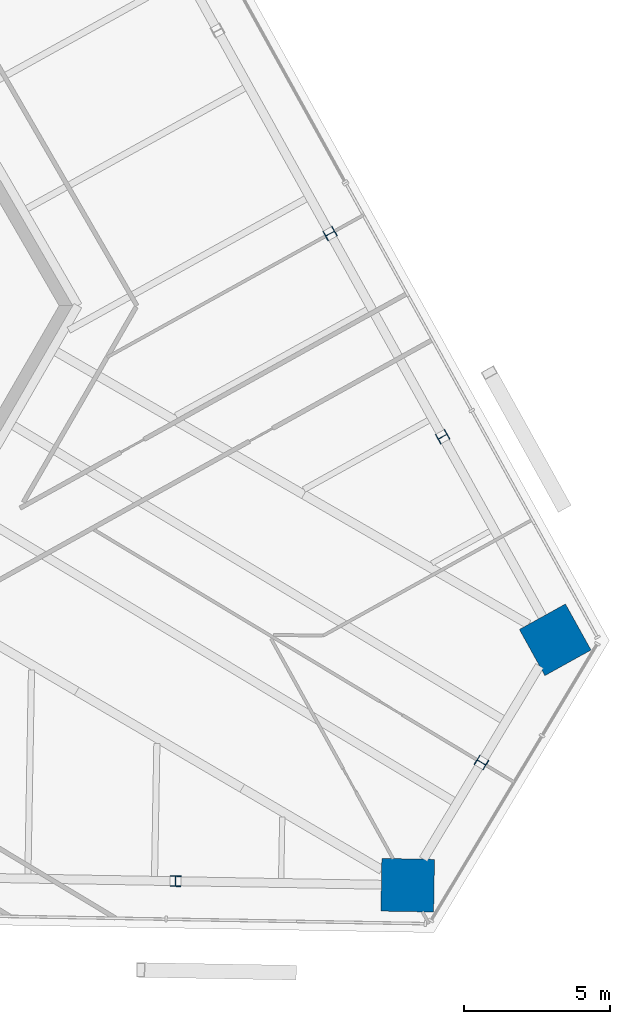
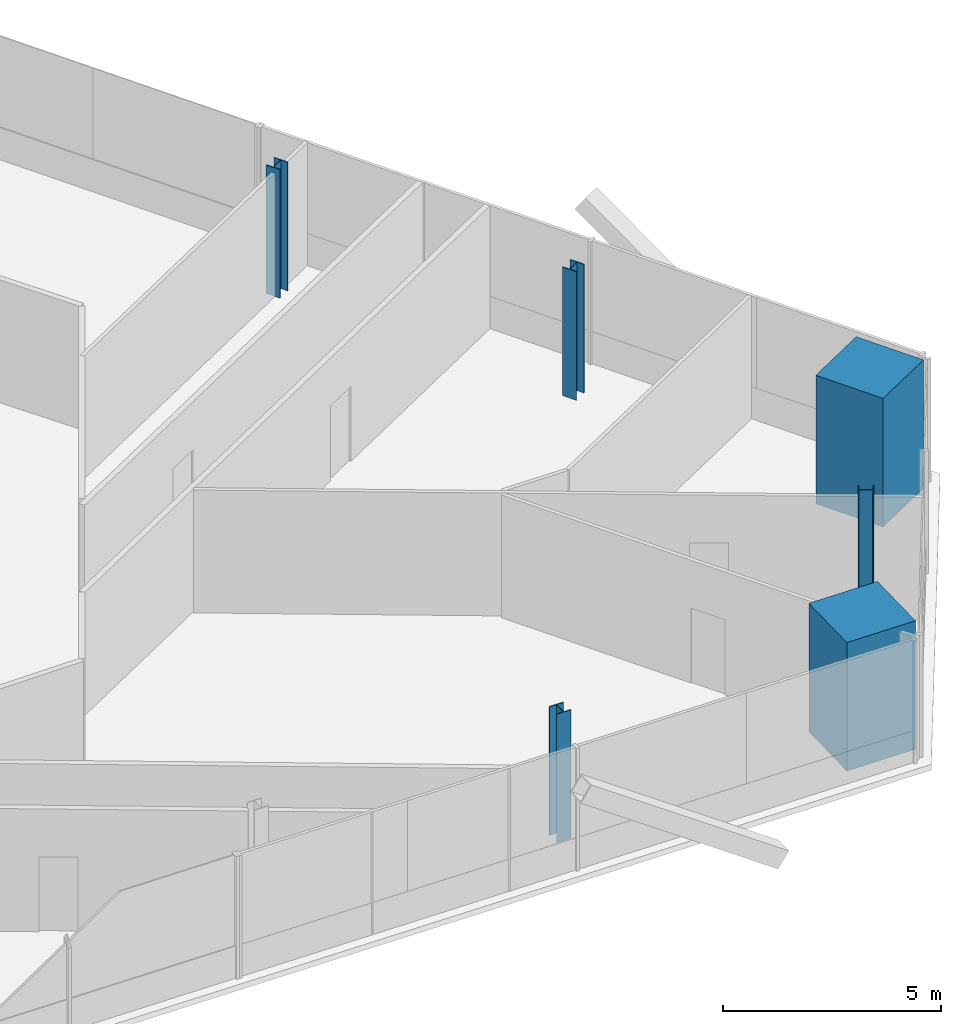
# One storey, part 2 of 19: 6 columns.
"""IFC4 building model written with IfcOpenShell, lengths in metres."""

from ifc_helpers import new_model, si_unit, direction, frame, origin, origin_2d, place, context, subcontext, project, spatial, rectangle, i_section, extrude, source, transform, mapped, material, material_profile, profile_set, type_object, element, save


model = new_model("IFC4")

# Units and contexts
model_context = context("Model", 3, precision=1e-05, world=origin(), true_north=direction((0.0, 1.0)))
body_context = subcontext(model_context, "Body", "Model", "MODEL_VIEW")
ifc_project = project(units=[si_unit("LENGTHUNIT", "METRE"), si_unit("AREAUNIT", "SQUARE_METRE"), si_unit("VOLUMEUNIT", "CUBIC_METRE"), si_unit("PLANEANGLEUNIT", "RADIAN"), si_unit("MASSUNIT", "GRAM", prefix="KILO")], contexts=[model_context])

# Site, building, storey
site_placement = place(None, origin())
site = spatial("IfcSite", under=ifc_project, at=site_placement, CompositionType="ELEMENT")
building_placement = place(site_placement, origin())
building = spatial("IfcBuilding", under=site, at=building_placement, Name="Triune Harvest Tower", CompositionType="ELEMENT")
storey_placement = place(building_placement, frame((0.0, 0.0, 183.5)))
storey = spatial("IfcBuildingStorey", under=building, at=storey_placement, Name="L47", CompositionType="ELEMENT", Elevation=183.5)

# Columns
ifc_material_1 = material(Name="Concrete 70 MPa", Category="concrete")
ifc_material_profile_1 = material_profile(ifc_material_1, rectangle(XDim=1.800048828125, YDim=1.800048828125, at=origin_2d()), Name="Composite 1800x1800")
ifc_profile_set_1 = profile_set([ifc_material_profile_1], Name="Concrete 70 MPa")
column_type_1 = type_object("IfcColumnType", Name="MC-5 Mega column Composite 1800x1800", PredefinedType="COLUMN", material=ifc_profile_set_1)
shared_shape_1 = source(origin(), body_context, "Body", "SweptSolid", [
    extrude(rectangle(XDim=1.800048828125, YDim=1.800048828125, at=origin_2d()), origin(), (0.0, 0.0, 1.0), 3.60009765625),
])
for number, where, z_axis, x_axis, name in (
    (1, (28.475341796875, -11.40673828125, 0.0), (0.0, 0.0, 1.0), (-0.484809620246, 0.874619707139, 0.0), "col/L47/M0"),
    (2, (23.43994140625, -19.787109375, 0.0), (0.0, 0.0, 1.0), (0.999847695156, -0.017452406437, 0.0), "col/L47/M22"),
):
    element("IfcColumn", number, at=place(storey_placement, frame(where, z_axis=z_axis, x_axis=x_axis)), inside=storey, type_object=column_type_1, Name=name, PredefinedType="COLUMN", context=body_context, shape_type="MappedRepresentation", body=[
        mapped(shared_shape_1, transform((0.0, 0.0, 0.0), scale=1.0)),
    ])
ifc_material_2 = material(Name="Steel ASTM A992 Gr 50", Category="steel")
ifc_material_profile_2 = material_profile(ifc_material_2, i_section(OverallWidth=0.370849609375, OverallDepth=0.36328125, WebThickness=0.013427734375, FlangeThickness=0.021728515625, at=origin_2d()), Name="W14x109")
ifc_profile_set_2 = profile_set([ifc_material_profile_2], Name="Steel ASTM A992 Gr 50")
column_type_2 = type_object("IfcColumnType", Name="PC-5 Perimeter column W14x109", PredefinedType="COLUMN", material=ifc_profile_set_2)
shared_shape_2 = source(origin(), body_context, "Body", "SweptSolid", [
    extrude(i_section(OverallWidth=0.370849609375, OverallDepth=0.36328125, WebThickness=0.013427734375, FlangeThickness=0.021728515625, at=origin_2d()), origin(), (0.0, 0.0, 1.0), 3.60009765625),
])
for number, where, z_axis, x_axis, name in (
    (3, (24.632080078125, -4.473388671875, 0.0), (0.0, 0.0, 1.0), (-0.484809620246, 0.874619707139, 0.0), "col/L47/P1"),
    (4, (20.788818359375, 2.459716796875, 0.0), (0.0, 0.0, 1.0), (-0.484809620246, 0.874619707139, 0.0), "col/L47/P2"),
    (5, (15.513916015625, -19.648681640625, 0.0), (0.0, 0.0, 1.0), (0.999847695156, -0.017452406437, 0.0), "col/L47/P21"),
    (6, (25.95751953125, -15.596923828125, 0.0), (0.0, 0.0, 1.0), (0.515039570948, 0.85716640179, 0.0), "col/L47/P23"),
):
    element("IfcColumn", number, at=place(storey_placement, frame(where, z_axis=z_axis, x_axis=x_axis)), inside=storey, type_object=column_type_2, Name=name, PredefinedType="COLUMN", context=body_context, shape_type="MappedRepresentation", body=[
        mapped(shared_shape_2, transform((0.0, 0.0, 0.0), scale=1.0)),
    ])

save(model, "model.ifc")
